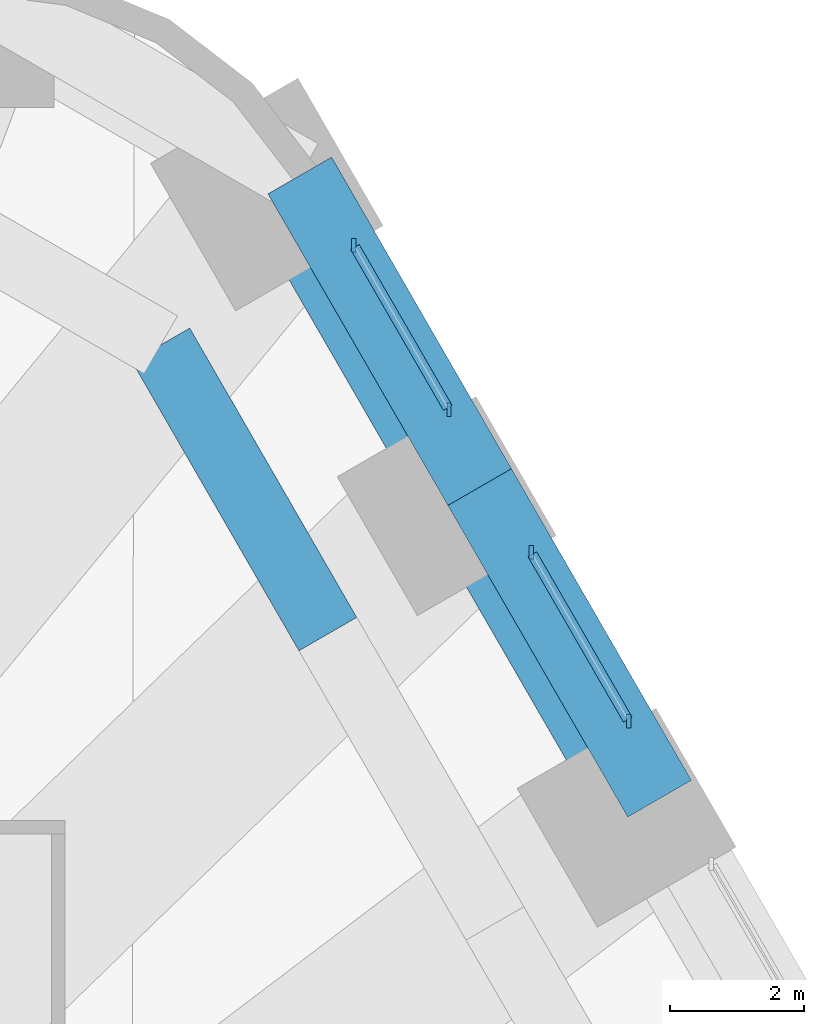
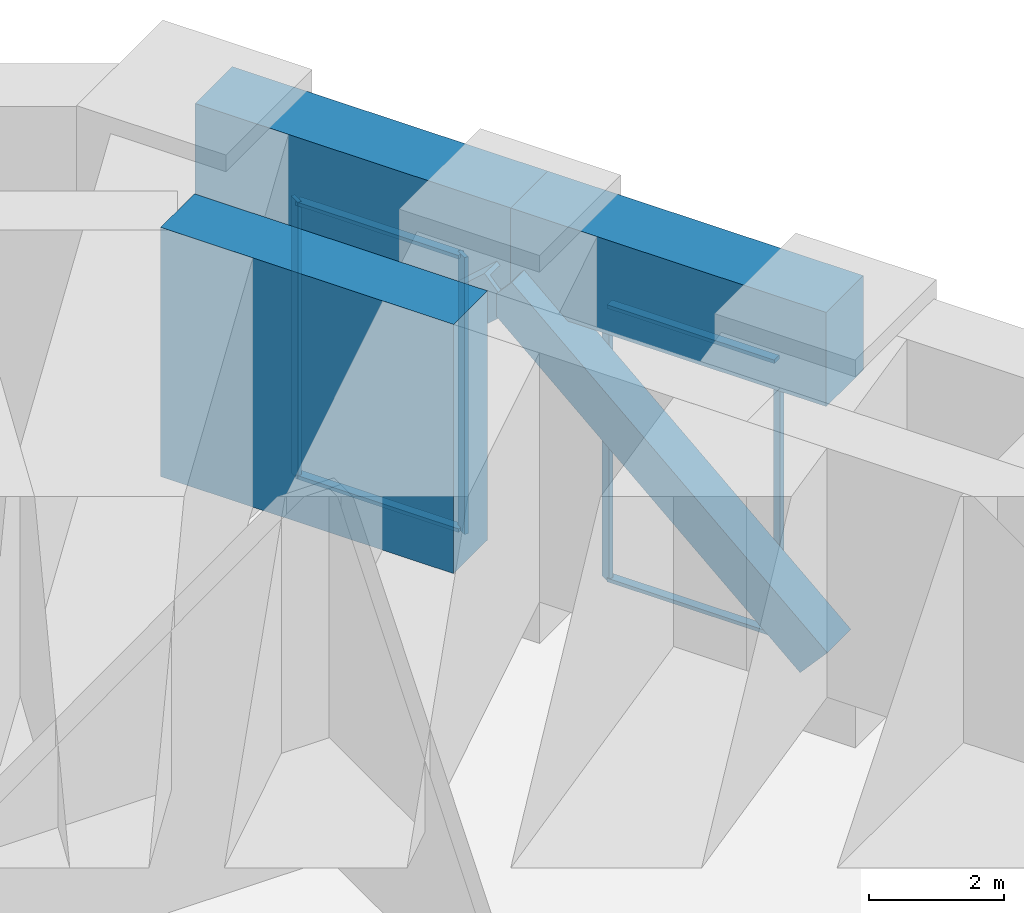
# One storey, part 8 of 17: 10 members, 3 beams, 2 elements without a shape of their own.
"""IFC4 building model written with IfcOpenShell, lengths in metres."""

from ifc_helpers import new_model, si_unit, direction, frame, origin, origin_2d, place, context, subcontext, project, spatial, rectangle, hollow_rectangle, extrude, material, material_profile, profile_set, type_object, element, aggregate, save


model = new_model("IFC4")

# Units and contexts
model_context = context("Model", 3, precision=1e-05, world=origin(), true_north=direction((0.0, 1.0)))
body_context = subcontext(model_context, "Body", "Model", "MODEL_VIEW")
ifc_project = project(units=[si_unit("LENGTHUNIT", "METRE"), si_unit("AREAUNIT", "SQUARE_METRE"), si_unit("VOLUMEUNIT", "CUBIC_METRE"), si_unit("PLANEANGLEUNIT", "RADIAN"), si_unit("MASSUNIT", "GRAM", prefix="KILO")], contexts=[model_context])

# Site, building, storey
site_placement = place(None, origin())
site = spatial("IfcSite", under=ifc_project, at=site_placement, CompositionType="ELEMENT")
building_placement = place(site_placement, origin())
building = spatial("IfcBuilding", under=site, at=building_placement, Name="Tarfa Lantern Tower", CompositionType="ELEMENT")
storey_placement = place(building_placement, frame((0.0, 0.0, 107.5)))
storey = spatial("IfcBuildingStorey", under=building, at=storey_placement, Name="L24", CompositionType="ELEMENT", Elevation=107.5)

# Members
ifc_material_1 = material(Name="Steel S460M", Category="steel")
ifc_material_profile_1 = material_profile(ifc_material_1, hollow_rectangle(XDim=0.699951171875, YDim=0.699951171875, WallThickness=0.080078125, at=origin_2d()), Name="BOX700x700x80")
ifc_profile_set_1 = profile_set([ifc_material_profile_1], Name="Steel S460M")
member_type_1 = type_object("IfcMemberType", Name="BT1 BOX700x700x80", PredefinedType="BRACE", material=ifc_profile_set_1)
for number, where, z_axis, x_axis, name in (
    (1, (26.014404296875, 21.24169921875, 0.60009765625), (-0.373364035688, 0.646688432601, 0.66512658043), (-0.866026392449, -0.499998287579, 0.0), "Belt truss diagonal 5"),
    (2, (20.625732421875, 30.574951171875, 0.60009765625), (0.373372204356, -0.64666874901, 0.665141132444), (0.866015065331, 0.500017906299, 0.0), "Belt truss diagonal 6"),
):
    element("IfcMember", number, at=place(storey_placement, frame(where, z_axis=z_axis, x_axis=x_axis)), inside=storey, type_object=member_type_1, Name=name, PredefinedType="BRACE", context=body_context, shape_type="SweptSolid", body=[
        extrude(hollow_rectangle(XDim=0.699951171875, YDim=0.699951171875, WallThickness=0.080078125, at=origin_2d()), origin(), (0.0, 0.0, 1.0), 7.21630859375),
    ])

# Curtain wall, members
ifc_material_2 = material(Name="Aluminium framed curtain wall", Category="aluminium")
curtain_wall_type = type_object("IfcCurtainWallType", Name="CW6 LOUVRED SCREEN WALL 5000", PredefinedType="USERDEFINED", material=ifc_material_2)
curtain_wall_1_placement = place(storey_placement, origin())
curtain_wall_1 = element("IfcCurtainWall", 3, at=curtain_wall_1_placement, inside=storey, type_object=curtain_wall_type, Name="CW6 NE L24", ObjectType="CURTAIN WALL", PredefinedType="USERDEFINED")
ifc_material_3 = material(Name="Aluminium mullion", Category="aluminium")
ifc_material_profile_2 = material_profile(ifc_material_3, rectangle(XDim=0.06494140625, YDim=0.199951171875, at=origin_2d()), Name="AL MULLION 65x200")
ifc_profile_set_2 = profile_set([ifc_material_profile_2], Name="Aluminium mullion")
member_type_2 = type_object("IfcMemberType", Name="CWM1 MULLION 65x200", PredefinedType="MULLION", material=ifc_profile_set_2)
member_1_placement = place(storey_placement, frame((26.047607421875, 22.68408203125, 0.0), z_axis=(0.0, 0.0, 1.0), x_axis=(1.0, 0.0, 0.0)))
member_1 = element("IfcMember", 4, at=member_1_placement, type_object=member_type_2, Name="CW6 mullion 1", PredefinedType="MULLION", context=body_context, shape_type="SweptSolid", body=[
    extrude(rectangle(XDim=0.06494140625, YDim=0.199951171875, at=origin_2d()), origin(), (0.0, 0.0, 1.0), 5.0),
])
member_2_placement = place(storey_placement, frame((24.5859375, 25.216064453125, 0.0), z_axis=(0.0, 0.0, 1.0), x_axis=(1.0, 0.0, 0.0)))
member_2 = element("IfcMember", 5, at=member_2_placement, type_object=member_type_2, Name="CW6 mullion 2", PredefinedType="MULLION", context=body_context, shape_type="SweptSolid", body=[
    extrude(rectangle(XDim=0.06494140625, YDim=0.199951171875, at=origin_2d()), origin(), (0.0, 0.0, 1.0), 5.0),
])

curtain_wall_2_placement = place(storey_placement, origin())
curtain_wall_2 = element("IfcCurtainWall", 6, at=curtain_wall_2_placement, inside=storey, type_object=curtain_wall_type, Name="CW6 NE L24", ObjectType="CURTAIN WALL", PredefinedType="USERDEFINED")
member_3_placement = place(storey_placement, frame((23.353515625, 27.350830078125, 0.0), z_axis=(0.0, 0.0, 1.0), x_axis=(1.0, 0.0, 0.0)))
member_3 = element("IfcMember", 7, at=member_3_placement, type_object=member_type_2, Name="CW6 mullion 1", PredefinedType="MULLION", context=body_context, shape_type="SweptSolid", body=[
    extrude(rectangle(XDim=0.06494140625, YDim=0.199951171875, at=origin_2d()), origin(), (0.0, 0.0, 1.0), 5.0),
])
member_4_placement = place(storey_placement, frame((21.92919921875, 29.817626953125, 0.0), z_axis=(0.0, 0.0, 1.0), x_axis=(1.0, 0.0, 0.0)))
member_4 = element("IfcMember", 8, at=member_4_placement, type_object=member_type_2, Name="CW6 mullion 2", PredefinedType="MULLION", context=body_context, shape_type="SweptSolid", body=[
    extrude(rectangle(XDim=0.06494140625, YDim=0.199951171875, at=origin_2d()), origin(), (0.0, 0.0, 1.0), 5.0),
])

# Member
ifc_material_4 = material(Name="Aluminium transom", Category="aluminium")
ifc_material_profile_3 = material_profile(ifc_material_4, rectangle(XDim=0.14990234375, YDim=0.06494140625, at=origin_2d()), Name="AL TRANSOM 150x65")
ifc_profile_set_3 = profile_set([ifc_material_profile_3], Name="Aluminium transom")
member_type_3 = type_object("IfcMemberType", Name="CWT1 TRANSOM 150x65", PredefinedType="USERDEFINED", material=ifc_profile_set_3)
member_5_placement = place(storey_placement, frame((26.031494140625, 22.712158203125, 0.032470703125), z_axis=(-0.500042804318, 0.866000689289, 0.0), x_axis=(-0.866000689289, -0.500042804318, 0.0)))
member_5 = element("IfcMember", 9, at=member_5_placement, type_object=member_type_3, Name="CW6 transom 1.1", ObjectType="TRANSOM", PredefinedType="USERDEFINED", context=body_context, shape_type="SweptSolid", body=[
    extrude(rectangle(XDim=0.14990234375, YDim=0.06494140625, at=origin_2d()), origin(), (0.0, 0.0, 1.0), 2.858642578125),
])

member_6_placement = place(storey_placement, frame((26.031494140625, 22.712158203125, 4.967529296875), z_axis=(-0.500042804318, 0.866000689289, 0.0), x_axis=(-0.866000689289, -0.500042804318, 0.0)))
member_6 = element("IfcMember", 10, at=member_6_placement, type_object=member_type_3, Name="CW6 transom 1.2", ObjectType="TRANSOM", PredefinedType="USERDEFINED", context=body_context, shape_type="SweptSolid", body=[
    extrude(rectangle(XDim=0.14990234375, YDim=0.06494140625, at=origin_2d()), origin(), (0.0, 0.0, 1.0), 2.858642578125),
])

aggregate(curtain_wall_1, [member_1, member_2, member_5, member_6])

member_7_placement = place(storey_placement, frame((23.337158203125, 27.37890625, 0.032470703125), z_axis=(-0.500016013541, 0.866016158165, 0.0), x_axis=(-0.866016158165, -0.500016013541, 0.0)))
member_7 = element("IfcMember", 11, at=member_7_placement, type_object=member_type_3, Name="CW6 transom 1.1", ObjectType="TRANSOM", PredefinedType="USERDEFINED", context=body_context, shape_type="SweptSolid", body=[
    extrude(rectangle(XDim=0.14990234375, YDim=0.06494140625, at=origin_2d()), origin(), (0.0, 0.0, 1.0), 2.78369140625),
])

member_8_placement = place(storey_placement, frame((23.337158203125, 27.37890625, 4.967529296875), z_axis=(-0.500016013541, 0.866016158165, 0.0), x_axis=(-0.866016158165, -0.500016013541, 0.0)))
member_8 = element("IfcMember", 12, at=member_8_placement, type_object=member_type_3, Name="CW6 transom 1.2", ObjectType="TRANSOM", PredefinedType="USERDEFINED", context=body_context, shape_type="SweptSolid", body=[
    extrude(rectangle(XDim=0.14990234375, YDim=0.06494140625, at=origin_2d()), origin(), (0.0, 0.0, 1.0), 2.78369140625),
])

aggregate(curtain_wall_2, [member_3, member_4, member_7, member_8])

# Beams
ifc_material_5 = material(Name="Concrete C80/95", Category="concrete")
ifc_material_profile_4 = material_profile(ifc_material_5, rectangle(XDim=1.10009765625, YDim=1.699951171875, at=origin_2d()), Name="RC 1100x1700")
ifc_profile_set_4 = profile_set([ifc_material_profile_4], Name="Concrete C80/95")
beam_type_1 = type_object("IfcBeamType", Name="RB1 RC 1100x1700", PredefinedType="BEAM", material=ifc_profile_set_4)
for number, where, z_axis, x_axis, name in (
    (13, (26.508056640625, 21.526611328125, 5.85009765625), (-0.499998287579, 0.866026392449, 0.0), (-0.866026392449, -0.499998287579, 0.0), "Edge beam NE4"),
    (14, (23.813720703125, 26.193359375, 5.85009765625), (-0.499998287579, 0.866026392449, 0.0), (-0.866026392449, -0.499998287579, 0.0), "Edge beam NE5"),
):
    element("IfcBeam", number, at=place(storey_placement, frame(where, z_axis=z_axis, x_axis=x_axis)), inside=storey, type_object=beam_type_1, Name=name, PredefinedType="BEAM", context=body_context, shape_type="SweptSolid", body=[
        extrude(rectangle(XDim=1.10009765625, YDim=1.699951171875, at=origin_2d()), origin(), (0.0, 0.0, 1.0), 5.388671875),
    ])
ifc_material_profile_5 = material_profile(ifc_material_5, rectangle(XDim=1.0, YDim=4.5, at=origin_2d()), Name="RC 1000x4500")
ifc_profile_set_5 = profile_set([ifc_material_profile_5], Name="Concrete C80/95")
beam_type_2 = type_object("IfcBeamType", Name="RG1 RC 1000x4500", PredefinedType="BEAM", material=ifc_profile_set_5)
beam_placement = place(storey_placement, frame((21.5400390625, 23.99169921875, 4.449951171875), z_axis=(-0.500022324899, 0.866012514114, 0.0), x_axis=(-0.866012514114, -0.500022324899, 0.0)))
element("IfcBeam", 15, at=beam_placement, inside=storey, type_object=beam_type_2, Name="Ring girder NE5", PredefinedType="BEAM", context=body_context, shape_type="SweptSolid", body=[
    extrude(rectangle(XDim=1.0, YDim=4.5, at=origin_2d()), origin(), (0.0, 0.0, 1.0), 5.003662109375),
])

save(model, "model.ifc")
